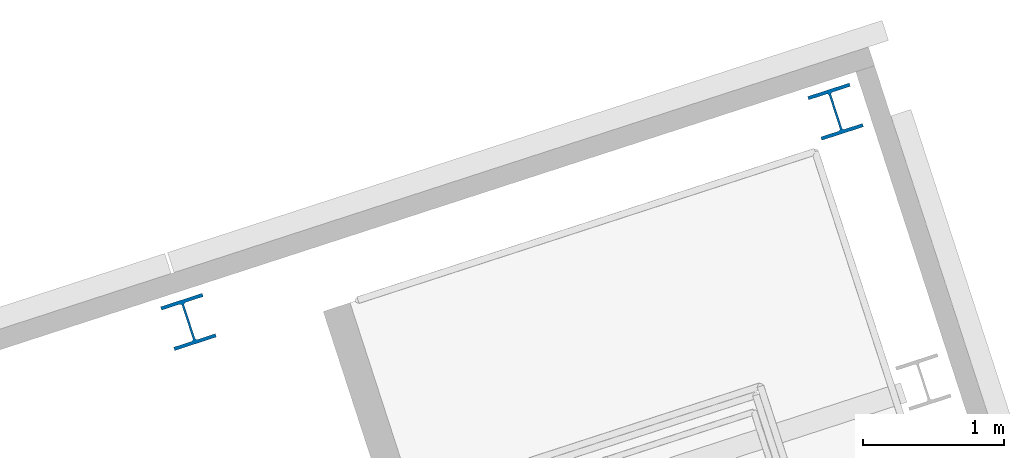
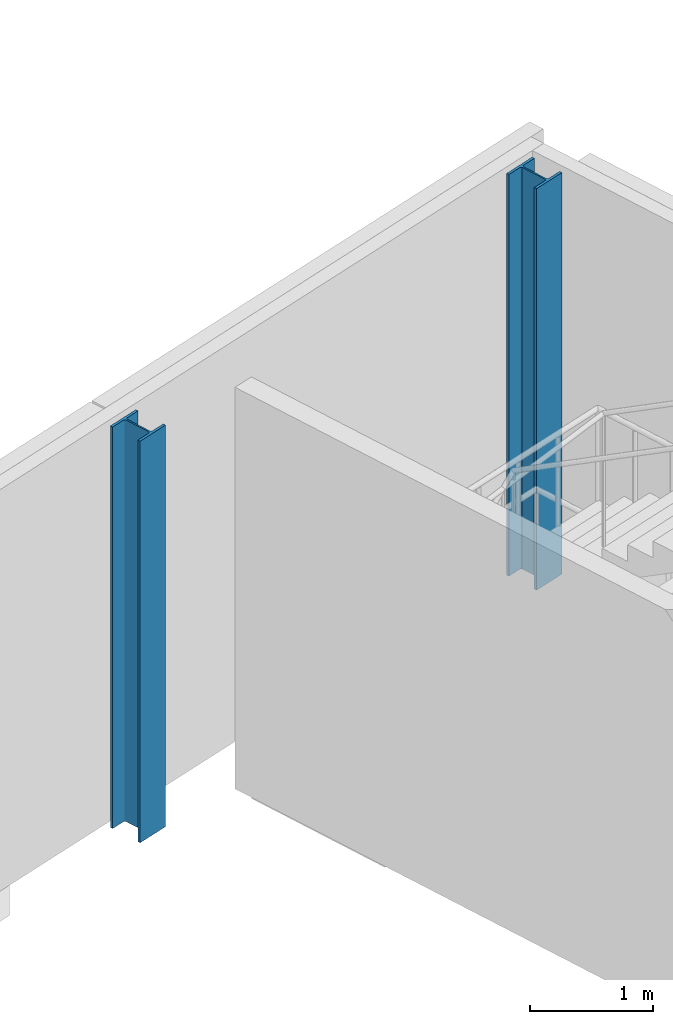
# One storey, part 4 of 72: 2 columns.
"""IFC4 building model written with IfcOpenShell, lengths in metres."""

from ifc_helpers import new_model, si_unit, direction, frame, origin, origin_2d, place, context, subcontext, project, spatial, i_section, extrude, material, material_profile, profile_set, type_object, element, save


model = new_model("IFC4")

# Units and contexts
model_context = context("Model", 3, precision=1e-05, world=origin(), true_north=direction((0.0, 1.0)))
body_context = subcontext(model_context, "Body", "Model", "MODEL_VIEW")
ifc_project = project(units=[si_unit("LENGTHUNIT", "METRE"), si_unit("AREAUNIT", "SQUARE_METRE"), si_unit("VOLUMEUNIT", "CUBIC_METRE"), si_unit("PLANEANGLEUNIT", "RADIAN"), si_unit("MASSUNIT", "GRAM", prefix="KILO")], contexts=[model_context])

# Site, building, storey
site_placement = place(None, origin())
site = spatial("IfcSite", under=ifc_project, at=site_placement, CompositionType="ELEMENT")
building_placement = place(site_placement, origin())
building = spatial("IfcBuilding", under=site, at=building_placement, Name="Tuart Plaza Theatre", CompositionType="ELEMENT")
storey_placement = place(building_placement, frame((0.0, 0.0, 13.5)))
storey = spatial("IfcBuildingStorey", under=building, at=storey_placement, Name="L03", CompositionType="ELEMENT", Elevation=13.5)

# Columns
ifc_material = material(Name="Steel Grade 300", Category="steel")
ifc_material_profile = material_profile(ifc_material, i_section(OverallWidth=0.31103515625, OverallDepth=0.326904296875, WebThickness=0.015625, FlangeThickness=0.02490234375, FilletRadius=0.0166015625, at=origin_2d()), Name="310UC158")
ifc_profile_set = profile_set([ifc_material_profile], Name="Steel Grade 300")
column_type = type_object("IfcColumnType", Name="COLUMN 310UC158", PredefinedType="COLUMN", material=ifc_profile_set)
for number, where, z_axis, x_axis, name in (
    (1, (58.151123046875, 95.11865234375, 0.0), (0.0, 0.0, 1.0), (0.951056516295, 0.309016994375, 0.0), "SC16"),
    (2, (62.747802734375, 96.6123046875, 0.0), (0.0, 0.0, 1.0), (0.951056516295, 0.309016994375, 0.0), "SC17"),
):
    element("IfcColumn", number, at=place(storey_placement, frame(where, z_axis=z_axis, x_axis=x_axis)), inside=storey, type_object=column_type, Name=name, PredefinedType="COLUMN", context=body_context, shape_type="SweptSolid", body=[
        extrude(i_section(OverallWidth=0.31103515625, OverallDepth=0.326904296875, WebThickness=0.015625, FlangeThickness=0.02490234375, FilletRadius=0.0166015625, at=origin_2d()), origin(), (0.0, 0.0, 1.0), 4.0),
    ])

save(model, "model.ifc")
